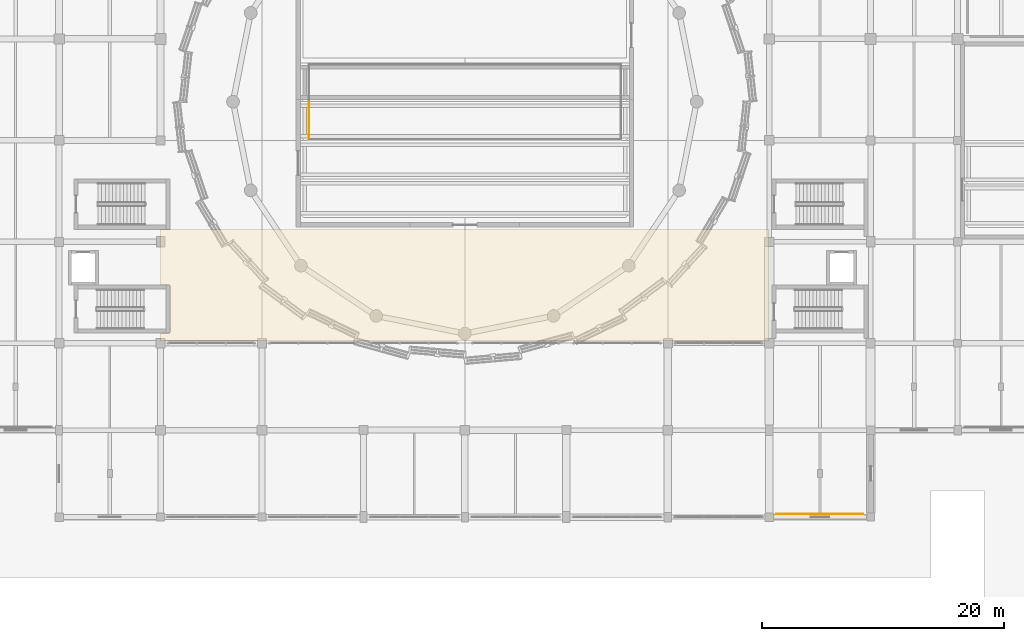
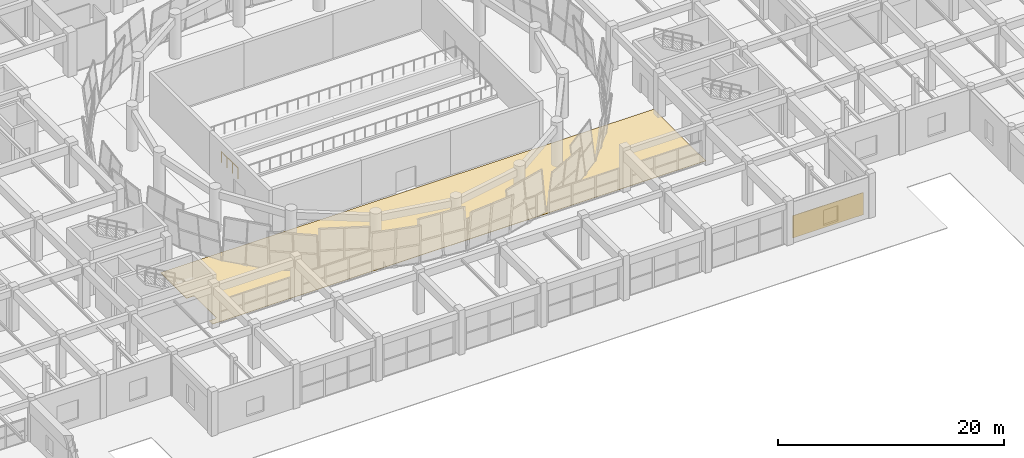
# One storey, part 62 of 72: 2 coverings, 1 railing.
"""IFC4 building model written with IfcOpenShell, lengths in metres."""

from ifc_helpers import new_model, si_unit, direction, frame, origin, origin_2d, place, context, subcontext, project, spatial, polyline, rectangle, circle, outline, extrude, material, layer, layer_set, type_object, element, save


model = new_model("IFC4")

# Units and contexts
model_context = context("Model", 3, precision=1e-05, world=origin(), true_north=direction((0.0, 1.0)))
body_context = subcontext(model_context, "Body", "Model", "MODEL_VIEW")
ifc_project = project(units=[si_unit("LENGTHUNIT", "METRE"), si_unit("AREAUNIT", "SQUARE_METRE"), si_unit("VOLUMEUNIT", "CUBIC_METRE"), si_unit("PLANEANGLEUNIT", "RADIAN"), si_unit("MASSUNIT", "GRAM", prefix="KILO")], contexts=[model_context])

# Site, building, storey
site_placement = place(None, origin())
site = spatial("IfcSite", under=ifc_project, at=site_placement, CompositionType="ELEMENT")
building_placement = place(site_placement, origin())
building = spatial("IfcBuilding", under=site, at=building_placement, Name="Korsvaeld Concert Hall", CompositionType="ELEMENT")
storey_placement = place(building_placement, origin())
storey = spatial("IfcBuildingStorey", under=building, at=storey_placement, Name="L00", CompositionType="ELEMENT", Elevation=0.0)

# Coverings
ifc_material_1 = material(Name="Bornholm Nexo rose-red sandstone ashlar cladding", Category="masonry")
ifc_layer_1 = layer(ifc_material_1, 0.050048828125)
ifc_layer_set_1 = layer_set([ifc_layer_1], Name="Bornholm Nexo rose-red sandstone ashlar cladding")
covering_type_1 = type_object("IfcCoveringType", Name="COV-CLAD-NEXO", PredefinedType="CLADDING", material=ifc_layer_set_1)
covering_1_placement = place(storey_placement, frame((113.39990234375, 29.044921875, 0.199951171875), z_axis=(0.0, 0.0, 1.0), x_axis=(-1.0, 0.0, 0.0)))
element("IfcCovering", 1, at=covering_1_placement, inside=storey, type_object=covering_type_1, Name="Ventilated Nexo sandstone colonnade cladding 117", PredefinedType="CLADDING", context=body_context, shape_type="SweptSolid", body=[
    extrude(rectangle(XDim=7.199951171875, YDim=0.050048828125, at=origin_2d()), origin(), (0.0, 0.0, 1.0), 2.39990234375),
])
ifc_material_2 = material(Name="Sprung European oak stage and foyer flooring")
ifc_layer_2 = layer(ifc_material_2, 0.034912109375)
ifc_layer_set_2 = layer_set([ifc_layer_2], Name="Sprung European oak stage and foyer flooring")
covering_type_2 = type_object("IfcCoveringType", Name="COV-FLOOR-OAK", PredefinedType="FLOORING", material=ifc_layer_set_2)
covering_2_placement = place(storey_placement, origin())
element("IfcCovering", 2, at=covering_2_placement, inside=storey, type_object=covering_type_2, Name="Sprung oak acoustic floor L00-03", PredefinedType="FLOORING", context=body_context, shape_type="SweptSolid", body=[
    extrude(outline(polyline([(58.800048828125, 52.60009765625), (109.199951171875, 52.60009765625), (109.199951171875, 43.39990234375), (58.800048828125, 43.39990234375), (58.800048828125, 44.02001953125), (59.39990234375, 44.02001953125), (59.41748046875, 44.02099609375), (59.43505859375, 44.0234375), (59.452392578125, 44.02783203125), (59.468994140625, 44.03369140625), (59.48486328125, 44.041259765625), (59.5, 44.05029296875), (59.51416015625, 44.060791015625), (59.52734375, 44.07275390625), (59.5390625, 44.085693359375), (59.5498046875, 44.10009765625), (59.55859375, 44.114990234375), (59.56640625, 44.131103515625), (59.572265625, 44.147705078125), (59.576416015625, 44.164794921875), (59.5791015625, 44.182373046875), (59.580078125, 44.199951171875), (59.580078125, 47.840087890625), (59.5791015625, 47.857666015625), (59.576416015625, 47.875), (59.572265625, 47.892333984375), (59.56640625, 47.908935546875), (59.55859375, 47.9248046875), (59.5498046875, 47.93994140625), (59.5390625, 47.9541015625), (59.52734375, 47.96728515625), (59.51416015625, 47.97900390625), (59.5, 47.98974609375), (59.48486328125, 47.998779296875), (59.468994140625, 48.00634765625), (59.452392578125, 48.01220703125), (59.43505859375, 48.0166015625), (59.41748046875, 48.01904296875), (59.39990234375, 48.02001953125), (58.800048828125, 48.02001953125), (58.800048828125, 52.60009765625)])), origin(), (0.0, 0.0, 1.0), 0.034912109375),
])

# Railing
ifc_material_3 = material(Name="Acoustic laminated glass and oak auditorium balustrade", Category="glass")
railing_type = type_object("IfcRailingType", Name="RL-VOID-BAL-120", PredefinedType="BALUSTRADE", material=ifc_material_3)
railing_placement = place(storey_placement, frame((71.080078125, 63.1201171875, 1.25)))
element("IfcRailing", 3, at=railing_placement, inside=storey, type_object=railing_type, Name="Auditorium acoustic balustrade V1-STALL-T3W", PredefinedType="BALUSTRADE", context=body_context, shape_type="SweptSolid", body=[
    extrude(circle(Radius=0.02392578125, at=origin_2d()), frame((0.0, 0.0, 1.17578125), z_axis=(0.0, -1.0, 0.0), x_axis=(1.0, 0.0, 0.0)), (0.0, 0.0, 1.0), 2.920166015625),
    extrude(circle(Radius=0.02099609375, at=origin_2d()), origin(), (0.0, 0.0, 1.0), 1.15185546875),
    extrude(circle(Radius=0.02099609375, at=origin_2d()), frame((0.0, -0.973388671875, 0.0)), (0.0, 0.0, 1.0), 1.15185546875),
    extrude(circle(Radius=0.02099609375, at=origin_2d()), frame((0.0, -1.94677734375, 0.0)), (0.0, 0.0, 1.0), 1.15185546875),
    extrude(circle(Radius=0.02099609375, at=origin_2d()), frame((0.0, -2.920166015625, 0.0)), (0.0, 0.0, 1.0), 1.15185546875),
])

save(model, "model.ifc")
